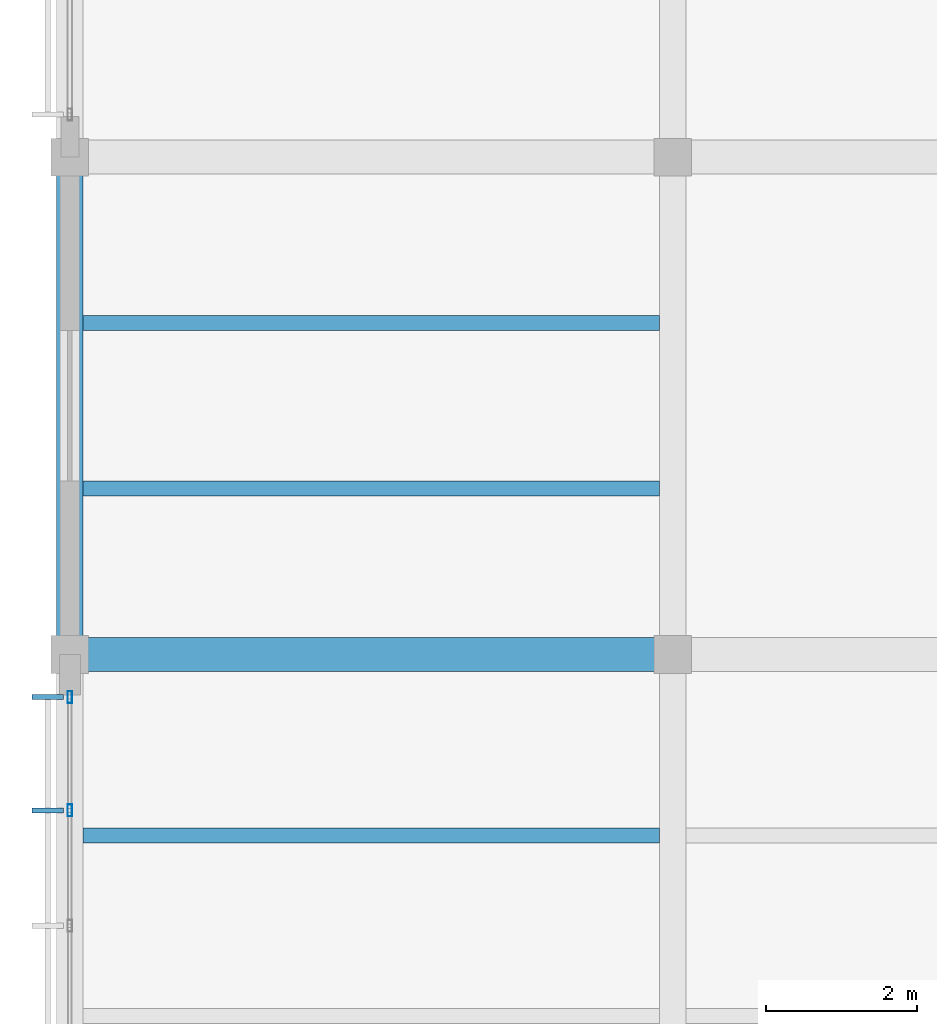
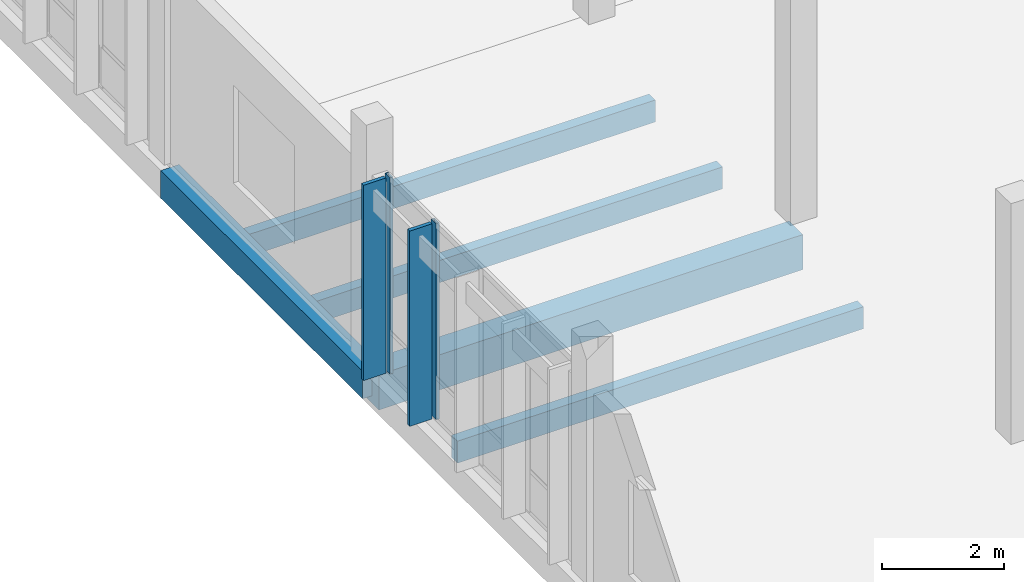
# One storey, part 34 of 177: 5 beams, 4 members, 1 element without a shape of its own.
"""IFC4 building model written with IfcOpenShell, lengths in metres."""

from ifc_helpers import new_model, si_unit, direction, frame, origin, origin_2d, place, context, subcontext, project, spatial, rectangle, hollow_rectangle, extrude, material, material_profile, profile_set, type_object, element, aggregate, save


model = new_model("IFC4")

# Units and contexts
model_context = context("Model", 3, precision=1e-05, world=origin(), true_north=direction((0.0, 1.0)))
body_context = subcontext(model_context, "Body", "Model", "MODEL_VIEW")
ifc_project = project(units=[si_unit("LENGTHUNIT", "METRE"), si_unit("AREAUNIT", "SQUARE_METRE"), si_unit("VOLUMEUNIT", "CUBIC_METRE"), si_unit("PLANEANGLEUNIT", "RADIAN"), si_unit("MASSUNIT", "GRAM", prefix="KILO")], contexts=[model_context])

# Site, building, storey
site_placement = place(None, origin())
site = spatial("IfcSite", under=ifc_project, at=site_placement, CompositionType="ELEMENT")
building_placement = place(site_placement, origin())
building = spatial("IfcBuilding", under=site, at=building_placement, Name="Chiffa Square Polytechnic", CompositionType="ELEMENT")
storey_placement = place(building_placement, frame((0.0, 0.0, 4.800048828125)))
storey = spatial("IfcBuildingStorey", under=building, at=storey_placement, Name="L01", CompositionType="ELEMENT", Elevation=4.800048828125)

# Beams
ifc_material_1 = material(Name="Concrete C35/45", Category="concrete")
ifc_material_profile_1 = material_profile(ifc_material_1, rectangle(XDim=0.35009765625, YDim=0.550048828125, at=origin_2d()), Name="RC 350x550")
ifc_profile_set_1 = profile_set([ifc_material_profile_1], Name="Concrete C35/45")
beam_type_1 = type_object("IfcBeamType", Name="BM-RC-350X550", PredefinedType="BEAM", material=ifc_profile_set_1)
beam_1_placement = place(storey_placement, frame((0.0, 51.0, -0.554931640625), z_axis=(0.0, 1.0, 0.0), x_axis=(-1.0, 0.0, 0.0)))
element("IfcBeam", 1, at=beam_1_placement, inside=storey, type_object=beam_type_1, Name="Primary floor girder BM-V6-L01-Y-0000-0510", PredefinedType="BEAM", context=body_context, shape_type="SweptSolid", body=[
    extrude(rectangle(XDim=0.35009765625, YDim=0.550048828125, at=origin_2d()), origin(), (0.0, 0.0, 1.0), 6.60009765625),
])
ifc_material_profile_2 = material_profile(ifc_material_1, rectangle(XDim=0.449951171875, YDim=0.699951171875, at=origin_2d()), Name="RC 450x700")
ifc_profile_set_2 = profile_set([ifc_material_profile_2], Name="Concrete C35/45")
beam_type_2 = type_object("IfcBeamType", Name="BM-RC-450X700", PredefinedType="BEAM", material=ifc_profile_set_2)
beam_2_placement = place(storey_placement, frame((0.0, 51.0, -0.630126953125), z_axis=(1.0, 0.0, 0.0), x_axis=(0.0, 1.0, 0.0)))
element("IfcBeam", 2, at=beam_2_placement, inside=storey, type_object=beam_type_2, Name="Primary floor girder BM-V6-L01-X-0000-0510", PredefinedType="BEAM", context=body_context, shape_type="SweptSolid", body=[
    extrude(rectangle(XDim=0.449951171875, YDim=0.699951171875, at=origin_2d()), origin(), (0.0, 0.0, 1.0), 8.0),
])

# Curtain wall, members
ifc_material_2 = material(Name="Aluminium EN AW-6060 T66 and glulam shading", Category="wood")
curtain_wall_type = type_object("IfcCurtainWallType", Name="CW-VERT-480X380", PredefinedType="USERDEFINED", material=ifc_material_2)
curtain_wall_placement = place(storey_placement, origin())
curtain_wall = element("IfcCurtainWall", 3, at=curtain_wall_placement, inside=storey, type_object=curtain_wall_type, Name="Curtain wall CW-V6-L01-262", ObjectType="CURTAIN WALL", PredefinedType="USERDEFINED")
ifc_material_3 = material(Name="Aluminium EN AW-6060 T66", Category="aluminium")
ifc_material_profile_3 = material_profile(ifc_material_3, hollow_rectangle(XDim=0.06005859375, YDim=0.159912109375, WallThickness=0.00390625, at=origin_2d()), Name="ALU 60x160x4")
ifc_profile_set_3 = profile_set([ifc_material_profile_3], Name="Aluminium EN AW-6060 T66")
member_type_1 = type_object("IfcMemberType", Name="CWM-ALU-65X150", PredefinedType="MULLION", material=ifc_profile_set_3)
member_1_placement = place(storey_placement, frame((0.0, 50.43505859375, 0.0), z_axis=(0.0, 0.0, 1.0), x_axis=(1.0, 0.0, 0.0)))
member_1 = element("IfcMember", 4, at=member_1_placement, type_object=member_type_1, Name="Curtain wall mullion CW-V6-L01-262-M00", PredefinedType="MULLION", context=body_context, shape_type="SweptSolid", body=[
    extrude(hollow_rectangle(XDim=0.06005859375, YDim=0.159912109375, WallThickness=0.00390625, at=origin_2d()), origin(), (0.0, 0.0, 1.0), 3.9150390625),
])
member_2_placement = place(storey_placement, frame((0.0, 48.929931640625, 0.0), z_axis=(0.0, 0.0, 1.0), x_axis=(1.0, 0.0, 0.0)))
member_2 = element("IfcMember", 5, at=member_2_placement, type_object=member_type_1, Name="Curtain wall mullion CW-V6-L01-262-M01", PredefinedType="MULLION", context=body_context, shape_type="SweptSolid", body=[
    extrude(hollow_rectangle(XDim=0.06005859375, YDim=0.159912109375, WallThickness=0.00390625, at=origin_2d()), origin(), (0.0, 0.0, 1.0), 3.9150390625),
])
ifc_material_4 = material(Name="Glulam GL28h", Category="wood")
ifc_material_profile_4 = material_profile(ifc_material_4, rectangle(XDim=0.070068359375, YDim=0.419921875, at=origin_2d()), Name="GL28h 70x420")
ifc_profile_set_4 = profile_set([ifc_material_profile_4], Name="Glulam GL28h")
member_type_2 = type_object("IfcMemberType", Name="CWM-GL-70X420", PredefinedType="MULLION", material=ifc_profile_set_4)
member_3_placement = place(storey_placement, frame((-0.2919921875, 50.43505859375, 0.010009765625), z_axis=(0.0, 0.0, 1.0), x_axis=(0.0, -1.0, 0.0)))
member_3 = element("IfcMember", 6, at=member_3_placement, type_object=member_type_2, Name="Exterior glulam solar fin CW-V6-L01-262-FN00", PredefinedType="MULLION", context=body_context, shape_type="SweptSolid", body=[
    extrude(rectangle(XDim=0.070068359375, YDim=0.419921875, at=origin_2d()), origin(), (0.0, 0.0, 1.0), 3.89501953125),
])
member_4_placement = place(storey_placement, frame((-0.2919921875, 48.929931640625, 0.010009765625), z_axis=(0.0, 0.0, 1.0), x_axis=(0.0, -1.0, 0.0)))
member_4 = element("IfcMember", 7, at=member_4_placement, type_object=member_type_2, Name="Exterior glulam solar fin CW-V6-L01-262-FN01", PredefinedType="MULLION", context=body_context, shape_type="SweptSolid", body=[
    extrude(rectangle(XDim=0.070068359375, YDim=0.419921875, at=origin_2d()), origin(), (0.0, 0.0, 1.0), 3.89501953125),
])
aggregate(curtain_wall, [member_1, member_3, member_2, member_4])

# Beams
ifc_material_profile_5 = material_profile(ifc_material_4, rectangle(XDim=0.199951171875, YDim=0.43994140625, at=origin_2d()), Name="GL28h 200x440")
ifc_profile_set_5 = profile_set([ifc_material_profile_5], Name="Glulam GL28h")
beam_type_3 = type_object("IfcBeamType", Name="JST-GL-200X440", PredefinedType="JOIST", material=ifc_profile_set_5)
for number, where, z_axis, x_axis, name in (
    (8, (0.173095703125, 48.60009765625, -0.5), (1.0, 0.0, 0.0), (0.0, 1.0, 0.0), "Secondary floor joist JST-V6-L01-0000-0486"),
    (9, (0.173095703125, 53.199951171875, -0.5), (1.0, 0.0, 0.0), (0.0, 1.0, 0.0), "Secondary floor joist JST-V6-L01-0000-0532"),
    (10, (0.173095703125, 55.39990234375, -0.5), (1.0, 0.0, 0.0), (0.0, 1.0, 0.0), "Secondary floor joist JST-V6-L01-0000-0554"),
):
    element("IfcBeam", number, at=place(storey_placement, frame(where, z_axis=z_axis, x_axis=x_axis)), inside=storey, type_object=beam_type_3, Name=name, PredefinedType="JOIST", context=body_context, shape_type="SweptSolid", body=[
        extrude(rectangle(XDim=0.199951171875, YDim=0.43994140625, at=origin_2d()), origin(), (0.0, 0.0, 1.0), 7.65380859375),
    ])

save(model, "model.ifc")
